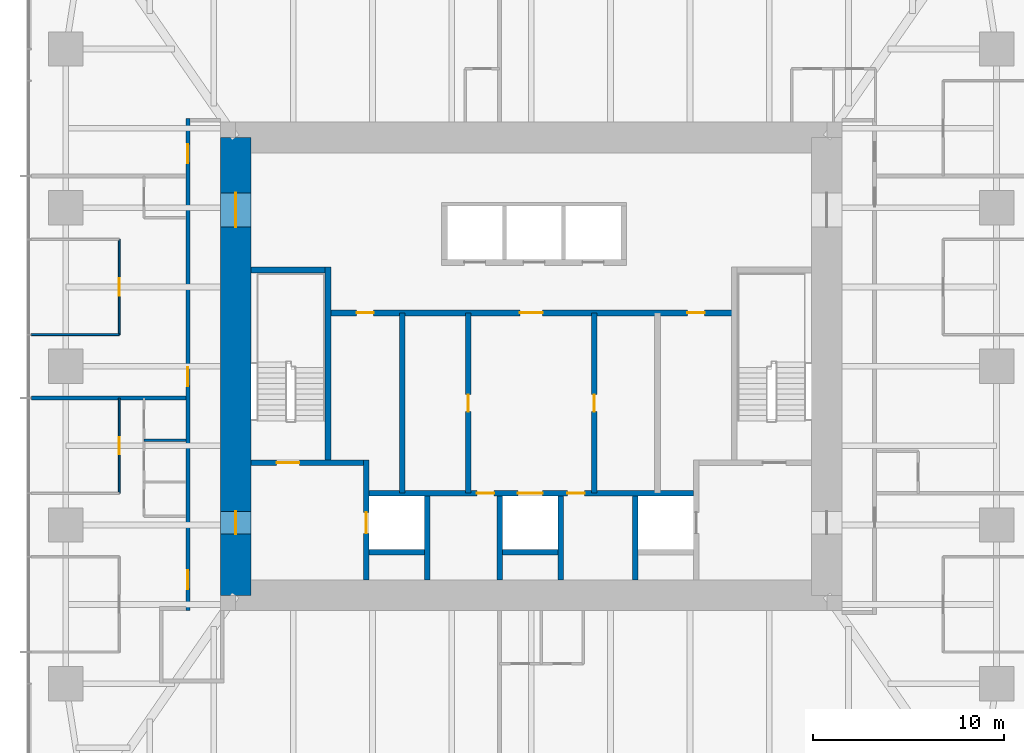
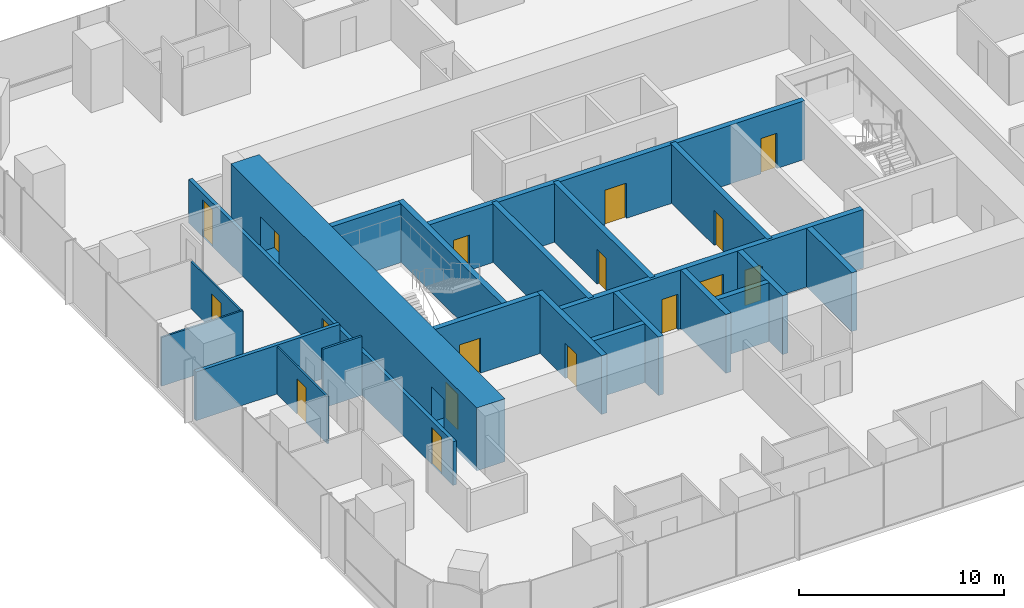
# One storey, part 9 of 12: 22 walls, 17 doors, 17 openings.
"""IFC4 building model written with IfcOpenShell, lengths in metres."""

import ifcopenshell
import ifcopenshell.guid

model = None  # the IFC model being written
_history = None  # IfcOwnerHistory: only IFC2X3 demands one
_inside = {}  # id of a spatial element -> (the spatial element, [elements in it])
_under = {}  # id of a project, library or spatial element -> (it, [spatial elements below it])
_declared = {}  # id of a project -> (the project, [libraries it declares])
_typed = {}  # id of a type object -> (the type object, [elements of that type])
_made_of = {}  # id of a material, layer set ... -> (it, [elements and type objects made of it])


def new_model(schema):
    """Start an empty IFC model of exactly this schema.

    Asked for "IFC4X3", IfcOpenShell would pick the latest addendum, in which some entities
    have other attributes; the version numbers below select the first issue.
    IFC2X3 requires an IfcOwnerHistory on every rooted entity: one is made here for all.
    """
    global model, _history
    if schema == "IFC4X3":
        model = ifcopenshell.file(schema_version=(4, 3, 0, 0))
    else:
        model = ifcopenshell.file(schema=schema)
    _inside.clear()
    _under.clear()
    _declared.clear()
    _typed.clear()
    _made_of.clear()
    _history = None
    if model.schema == "IFC2X3":
        org = make("IfcOrganization", Name="unknown")
        user = make(
            "IfcPersonAndOrganization",
            ThePerson=make("IfcPerson", FamilyName="unknown"),
            TheOrganization=org,
        )
        app = make(
            "IfcApplication",
            ApplicationDeveloper=org,
            Version="unknown",
            ApplicationFullName="unknown",
            ApplicationIdentifier="unknown",
        )
        _history = make(
            "IfcOwnerHistory",
            OwningUser=user,
            OwningApplication=app,
            ChangeAction="ADDED",
            CreationDate=0,
        )
    return model


def make(cls, **values):
    """One entity of the class cls with the attributes given. An attribute that is None is left unset."""
    return model.create_entity(
        cls, **{name: value for name, value in values.items() if value is not None}
    )


def rooted(cls, **values):
    """An entity with a GlobalId (a new one), such as an element, a storey or a relation."""
    return make(cls, GlobalId=ifcopenshell.guid.new(), OwnerHistory=_history, **values)


def si_unit(unit_type, name, prefix=None):
    """IfcSIUnit, for example si_unit("LENGTHUNIT", "METRE", prefix="MILLI")."""
    return make("IfcSIUnit", UnitType=unit_type, Prefix=prefix, Name=name)


def assignment(units):
    """IfcUnitAssignment: the units of a project."""
    return None if units is None else make("IfcUnitAssignment", Units=units)


def point(xyz):
    """IfcCartesianPoint."""
    return None if xyz is None else make("IfcCartesianPoint", Coordinates=xyz)


def direction(xyz):
    """IfcDirection."""
    return None if xyz is None else make("IfcDirection", DirectionRatios=xyz)


def frame(location, z_axis=None, x_axis=None):
    """IfcAxis2Placement3D, a coordinate frame: its origin and axes. An axis left out is left unset."""
    return make(
        "IfcAxis2Placement3D",
        Location=point(location),
        Axis=direction(z_axis),
        RefDirection=direction(x_axis),
    )


def frame_2d(location, x_axis=None):
    """IfcAxis2Placement2D, a coordinate frame in the plane: its origin and x axis."""
    return make(
        "IfcAxis2Placement2D", Location=point(location), RefDirection=direction(x_axis)
    )


def origin():
    """The frame at (0, 0, 0) with its axes left unset."""
    return frame((0.0, 0.0, 0.0))


def place(relative_to, where):
    """IfcLocalPlacement: puts the frame where relative to a parent placement (None: the world)."""
    return make(
        "IfcLocalPlacement", PlacementRelTo=relative_to, RelativePlacement=where
    )


def context(
    kind, dimensions, precision=None, world=None, true_north=None, identifier=None
):
    """IfcGeometricRepresentationContext, for example the 3D "Model" context."""
    return make(
        "IfcGeometricRepresentationContext",
        ContextIdentifier=identifier,
        ContextType=kind,
        CoordinateSpaceDimension=dimensions,
        Precision=precision,
        WorldCoordinateSystem=world,
        TrueNorth=true_north,
    )


def subcontext(parent, identifier, kind, view, scale=None):
    """IfcGeometricRepresentationSubContext, for example "Body" below "Model"."""
    return make(
        "IfcGeometricRepresentationSubContext",
        ContextIdentifier=identifier,
        ContextType=kind,
        ParentContext=parent,
        TargetScale=scale,
        TargetView=view,
    )


def project(units=None, contexts=None):
    """IfcProject with its units and contexts."""
    return rooted(
        "IfcProject",
        Name="project",
        RepresentationContexts=contexts,
        UnitsInContext=assignment(units),
    )


def spatial(cls, under=None, at=None, **own):
    """A site, building, storey or space (cls), placed at a placement, below another one or the project."""
    s = rooted(cls, ObjectPlacement=at, **own)
    if under is not None:
        _under.setdefault(under.id(), (under, []))[1].append(s)
    return s


def profile(cls, at=None, kind="AREA", **sizes):
    """A parametric profile (cls). Its sizes go by their IFC names, for example OverallWidth=200.0."""
    return make(cls, ProfileType=kind, Position=at, **sizes)


def rectangle(**sizes):
    """IfcRectangleProfileDef."""
    return profile("IfcRectangleProfileDef", **sizes)


def extrude(swept, where, along, depth):
    """IfcExtrudedAreaSolid: the profile swept, set in the frame where, extruded along a direction by depth."""
    return make(
        "IfcExtrudedAreaSolid",
        SweptArea=swept,
        Position=where,
        ExtrudedDirection=direction(along),
        Depth=depth,
    )


def shape(context_of_items, identifier, shape_type, items):
    """IfcShapeRepresentation: the items that make up one representation, for example the "Body"."""
    return make(
        "IfcShapeRepresentation",
        ContextOfItems=context_of_items,
        RepresentationIdentifier=identifier,
        RepresentationType=shape_type,
        Items=items,
    )


def material(Name=None, Category=None):
    """IfcMaterial."""
    return make("IfcMaterial", Name=Name, Category=Category)


def layer(
    of_material, thickness, ventilated=None, Name=None, Category=None, Priority=None
):
    """IfcMaterialLayer: one layer of a wall or slab, of a material (None: an air gap)."""
    return make(
        "IfcMaterialLayer",
        Material=of_material,
        LayerThickness=thickness,
        IsVentilated=ventilated,
        Name=Name,
        Category=Category,
        Priority=Priority,
    )


def layer_set(layers, Name=None):
    """IfcMaterialLayerSet."""
    return make("IfcMaterialLayerSet", MaterialLayers=layers, LayerSetName=Name)


def made_of(thing, what):
    """Note that an element or type object is made of a material, layer set ...; save() writes the relation."""
    if what is not None:
        _made_of.setdefault(what.id(), (what, []))[1].append(thing)
    return thing


def type_object(cls, material=None, **own):
    """A type object (cls), such as IfcWallType, which elements share."""
    return made_of(rooted(cls, **own), material)


def element(
    cls,
    number,
    at=None,
    inside=None,
    cuts=None,
    type_object=None,
    material=None,
    context=None,
    identifier="Body",
    shape_type=None,
    held_by="IfcProductDefinitionShape",
    body=None,
    shapes=None,
    **own,
):
    """One element of the class cls, such as IfcWall. Its Tag is "e" and its number.

    at: its placement. inside: the storey or other place that contains it. cuts: it is an
    opening in that element (IfcRelVoidsElement). A single representation is given by context,
    identifier, shape_type and body (its items); several are given by shapes. held_by: the class
    of the entity that holds the representations. save() writes the other relations.
    """
    e = rooted(cls, Tag="e%d" % number, ObjectPlacement=at, **own)
    if body is not None:
        shapes = [shape(context, identifier, shape_type, body)]
    if shapes is not None:
        e.Representation = make(held_by, Representations=shapes)
    if inside is not None:
        _inside.setdefault(inside.id(), (inside, []))[1].append(e)
    if cuts is not None:
        rooted(
            "IfcRelVoidsElement", RelatingBuildingElement=cuts, RelatedOpeningElement=e
        )
    if type_object is not None:
        _typed.setdefault(type_object.id(), (type_object, []))[1].append(e)
    return made_of(e, material)


def fill(opening, filler):
    """IfcRelFillsElement: the door or window that sits in an opening."""
    return rooted(
        "IfcRelFillsElement",
        RelatingOpeningElement=opening,
        RelatedBuildingElement=filler,
    )


def aggregate(whole, parts):
    """IfcRelAggregates: a whole, such as a stair, and the parts it consists of."""
    return rooted("IfcRelAggregates", RelatingObject=whole, RelatedObjects=parts)


def save(model, path):
    """Write the relations noted so far, then the file.

    IfcRelAggregates (storeys below a building ...), IfcRelContainedInSpatialStructure (elements
    in a storey), IfcRelDefinesByType, IfcRelAssociatesMaterial and IfcRelDeclares: one each for
    every whole, place, type object, material and project.
    """
    for whole, parts in _under.values():
        aggregate(whole, parts)
    for where, things in _inside.values():
        rooted(
            "IfcRelContainedInSpatialStructure",
            RelatedElements=things,
            RelatingStructure=where,
        )
    for kind, things in _typed.values():
        rooted("IfcRelDefinesByType", RelatedObjects=things, RelatingType=kind)
    for what, things in _made_of.values():
        rooted("IfcRelAssociatesMaterial", RelatedObjects=things, RelatingMaterial=what)
    for by, libraries in _declared.values():
        rooted("IfcRelDeclares", RelatingContext=by, RelatedDefinitions=libraries)
    model.write(path)


model = new_model("IFC4")

# Units and contexts
model_context = context("Model", 3, precision=1e-05, world=origin(), true_north=direction((0.0, 1.0)))
body_context = subcontext(model_context, "Body", "Model", "MODEL_VIEW")
ifc_project = project(units=[si_unit("LENGTHUNIT", "METRE"), si_unit("AREAUNIT", "SQUARE_METRE"), si_unit("VOLUMEUNIT", "CUBIC_METRE"), si_unit("PLANEANGLEUNIT", "RADIAN"), si_unit("MASSUNIT", "GRAM", prefix="KILO")], contexts=[model_context])

# Site, building, storey
site_placement = place(None, origin())
site = spatial("IfcSite", under=ifc_project, at=site_placement, CompositionType="ELEMENT")
building_placement = place(site_placement, origin())
building = spatial("IfcBuilding", under=site, at=building_placement, Name="Khuree Lantern Residences", CompositionType="ELEMENT")
storey_placement = place(building_placement, frame((0.0, 0.0, 214.5)))
storey = spatial("IfcBuildingStorey", under=building, at=storey_placement, Name="L53", CompositionType="ELEMENT", Elevation=214.5)

# Wall
ifc_material_1 = material(Name="Moisture-resistant gypsum board on steel studs", Category="steel")
ifc_layer_1 = layer(ifc_material_1, 0.125)
ifc_layer_set_1 = layer_set([ifc_layer_1], Name="BATHROOM WALL BTW125")
wall_type_1 = type_object("IfcWallType", Name="BATHROOM WALL BTW125", PredefinedType="PARTITIONING", material=ifc_layer_set_1)
wall_1_placement = place(storey_placement, frame((-18.10009765625, -3.864013671875, 0.0), z_axis=(0.0, 0.0, 1.0), x_axis=(-1.0, 0.0, 0.0)))
element("IfcWall", 1, at=wall_1_placement, inside=storey, type_object=wall_type_1, Name="L53 BATHROOM WALL 05", PredefinedType="PARTITIONING", context=body_context, shape_type="SweptSolid", body=[
    extrude(rectangle(XDim=2.199951171875, YDim=0.125, at=frame_2d((1.10009765625, 0.0))), origin(), (0.0, 0.0, 1.0), 3.5),
])

# Wall, opening, door
ifc_material_2 = material(Name="Dense concrete blockwork", Category="masonry")
ifc_layer_2 = layer(ifc_material_2, 0.300048828125)
ifc_layer_set_2 = layer_set([ifc_layer_2], Name="CORE PARTITION WALL CPW300 EI 120")
wall_type_2 = type_object("IfcWallType", Name="CORE PARTITION WALL CPW300 EI 120", PredefinedType="PARTITIONING", material=ifc_layer_set_2)
wall_2_placement = place(storey_placement, frame((-8.64990234375, -11.199951171875, 0.0), z_axis=(0.0, 0.0, 1.0), x_axis=(0.0, 1.0, 0.0)))
wall_2 = element("IfcWall", 2, at=wall_2_placement, inside=storey, type_object=wall_type_2, Name="L53 CORE WALL FL1W", PredefinedType="PARTITIONING", context=body_context, shape_type="SweptSolid", body=[
    extrude(rectangle(XDim=6.300048828125, YDim=0.300048828125, at=frame_2d((3.14990234375, 0.0))), origin(), (0.0, 0.0, 1.0), 3.5),
])
opening_1_placement = place(wall_2_placement, frame((2.449951171875, 0.0, 0.0)))
opening_1 = element("IfcOpeningElement", 3, at=opening_1_placement, cuts=wall_2, Name="Opening 53-007", PredefinedType="OPENING", context=body_context, shape_type="SweptSolid", body=[
    extrude(rectangle(XDim=1.10009765625, YDim=2.10009765625, at=frame_2d((0.550048828125, 1.050048828125))), frame((0.0, 0.16015625, 0.0), z_axis=(0.0, -1.0, 0.0), x_axis=(1.0, 0.0, 0.0)), (0.0, 0.0, 1.0), 0.320068359375),
])
ifc_material_3 = material(Name="Stainless steel lift landing door", Category="steel")
door_type_1 = type_object("IfcDoorType", Name="LIFT LANDING DOOR 1100X2100 E 120", OperationType="DOUBLE_DOOR_SLIDING", PredefinedType="DOOR", material=ifc_material_3)
door_1_placement = place(opening_1_placement, origin())
door_1 = element("IfcDoor", 4, at=door_1_placement, inside=storey, type_object=door_type_1, Name="Landing door FL1 53-007", OperationType="DOUBLE_DOOR_SLIDING", OverallHeight=2.10009765625, OverallWidth=1.10009765625, PredefinedType="DOOR", context=body_context, shape_type="SweptSolid", body=[
    extrude(rectangle(XDim=1.10009765625, YDim=2.10009765625, at=frame_2d((0.550048828125, 1.050048828125))), frame((0.0, 0.02490234375, 0.0), z_axis=(0.0, -1.0, 0.0), x_axis=(1.0, 0.0, 0.0)), (0.0, 0.0, 1.0), 0.050048828125),
])
fill(opening_1, door_1)

# Wall, openings, doors
wall_3_placement = place(storey_placement, frame((-8.5, -6.64990234375, 0.0), z_axis=(0.0, 0.0, 1.0), x_axis=(1.0, 0.0, 0.0)))
wall_3 = element("IfcWall", 5, at=wall_3_placement, inside=storey, type_object=wall_type_2, Name="L53 CORE WALL FLROW", PredefinedType="PARTITIONING", context=body_context, shape_type="SweptSolid", body=[
    extrude(rectangle(XDim=17.0, YDim=0.300048828125, at=frame_2d((8.5, 0.0))), origin(), (0.0, 0.0, 1.0), 3.5),
])
opening_2_placement = place(wall_3_placement, frame((7.800048828125, 0.0, 0.0)))
opening_2 = element("IfcOpeningElement", 6, at=opening_2_placement, cuts=wall_3, Name="Opening 53-012", PredefinedType="OPENING", context=body_context, shape_type="SweptSolid", body=[
    extrude(rectangle(XDim=1.300048828125, YDim=2.39990234375, at=frame_2d((0.64990234375, 1.199951171875))), frame((0.0, 0.16015625, 0.0), z_axis=(0.0, -1.0, 0.0), x_axis=(1.0, 0.0, 0.0)), (0.0, 0.0, 1.0), 0.320068359375),
])
opening_3_placement = place(wall_3_placement, frame((5.64990234375, 0.0, 0.0)))
opening_3 = element("IfcOpeningElement", 7, at=opening_3_placement, cuts=wall_3, Name="Opening 53-014", PredefinedType="OPENING", context=body_context, shape_type="SweptSolid", body=[
    extrude(rectangle(XDim=0.89990234375, YDim=2.10009765625, at=frame_2d((0.449951171875, 1.050048828125))), frame((0.0, 0.16015625, 0.0), z_axis=(0.0, -1.0, 0.0), x_axis=(1.0, 0.0, 0.0)), (0.0, 0.0, 1.0), 0.320068359375),
])
opening_4_placement = place(wall_3_placement, frame((10.39990234375, 0.0, 0.0)))
opening_4 = element("IfcOpeningElement", 8, at=opening_4_placement, cuts=wall_3, Name="Opening 53-015", PredefinedType="OPENING", context=body_context, shape_type="SweptSolid", body=[
    extrude(rectangle(XDim=0.89990234375, YDim=2.10009765625, at=frame_2d((0.449951171875, 1.050048828125))), frame((0.0, 0.16015625, 0.0), z_axis=(0.0, -1.0, 0.0), x_axis=(1.0, 0.0, 0.0)), (0.0, 0.0, 1.0), 0.320068359375),
])
ifc_material_4 = material(Name="Steel door leaf in steel frame", Category="steel")
door_type_2 = type_object("IfcDoorType", Name="DOOR 900X2100 EI 60", OperationType="SINGLE_SWING_LEFT", PredefinedType="DOOR", material=ifc_material_4)
door_2_placement = place(opening_3_placement, origin())
door_2 = element("IfcDoor", 9, at=door_2_placement, inside=storey, type_object=door_type_2, Name="Refuse chute room door 53-014", OperationType="SINGLE_SWING_LEFT", OverallHeight=2.10009765625, OverallWidth=0.89990234375, PredefinedType="DOOR", context=body_context, shape_type="SweptSolid", body=[
    extrude(rectangle(XDim=0.89990234375, YDim=2.10009765625, at=frame_2d((0.449951171875, 1.050048828125))), frame((0.0, 0.02490234375, 0.0), z_axis=(0.0, -1.0, 0.0), x_axis=(1.0, 0.0, 0.0)), (0.0, 0.0, 1.0), 0.050048828125),
])
fill(opening_3, door_2)
door_type_3 = type_object("IfcDoorType", Name="DOOR 900X2100 EI 60 RIGHT HAND", OperationType="SINGLE_SWING_RIGHT", PredefinedType="DOOR", material=ifc_material_4)
door_3_placement = place(opening_4_placement, origin())
door_3 = element("IfcDoor", 10, at=door_3_placement, inside=storey, type_object=door_type_3, Name="Electrical and plumbing riser door 53-015", OperationType="SINGLE_SWING_RIGHT", OverallHeight=2.10009765625, OverallWidth=0.89990234375, PredefinedType="DOOR", context=body_context, shape_type="SweptSolid", body=[
    extrude(rectangle(XDim=0.89990234375, YDim=2.10009765625, at=frame_2d((0.449951171875, 1.050048828125))), frame((0.0, 0.02490234375, 0.0), z_axis=(0.0, -1.0, 0.0), x_axis=(1.0, 0.0, 0.0)), (0.0, 0.0, 1.0), 0.050048828125),
])
fill(opening_4, door_3)
door_type_4 = type_object("IfcDoorType", Name="LIFT LANDING DOOR 1300X2400 E 60", OperationType="DOUBLE_DOOR_SLIDING", PredefinedType="DOOR", material=ifc_material_3)
door_4_placement = place(opening_2_placement, origin())
door_4 = element("IfcDoor", 11, at=door_4_placement, inside=storey, type_object=door_type_4, Name="Landing door SL1 53-012", OperationType="DOUBLE_DOOR_SLIDING", OverallHeight=2.39990234375, OverallWidth=1.300048828125, PredefinedType="DOOR", context=body_context, shape_type="SweptSolid", body=[
    extrude(rectangle(XDim=1.300048828125, YDim=2.39990234375, at=frame_2d((0.64990234375, 1.199951171875))), frame((0.0, 0.02490234375, 0.0), z_axis=(0.0, -1.0, 0.0), x_axis=(1.0, 0.0, 0.0)), (0.0, 0.0, 1.0), 0.050048828125),
])
fill(opening_2, door_4)

# Walls
for number, where, z_axis, x_axis, name in (
    (12, (-5.449951171875, -11.199951171875, 0.0), (0.0, 0.0, 1.0), (0.0, 1.0, 0.0), "L53 CORE WALL FL1E"),
    (13, (-1.64990234375, -11.199951171875, 0.0), (0.0, 0.0, 1.0), (0.0, 1.0, 0.0), "L53 CORE WALL SL1W"),
    (14, (1.550048828125, -11.199951171875, 0.0), (0.0, 0.0, 1.0), (0.0, 1.0, 0.0), "L53 CORE WALL SL1E"),
    (15, (5.449951171875, -11.199951171875, 0.0), (0.0, 0.0, 1.0), (0.0, 1.0, 0.0), "L53 CORE WALL FL2W"),
):
    element("IfcWall", number, at=place(storey_placement, frame(where, z_axis=z_axis, x_axis=x_axis)), inside=storey, type_object=wall_type_2, Name=name, PredefinedType="PARTITIONING", context=body_context, shape_type="SweptSolid", body=[
        extrude(rectangle(XDim=4.39990234375, YDim=0.300048828125, at=frame_2d((2.199951171875, 0.0))), origin(), (0.0, 0.0, 1.0), 3.5),
    ])
for number, where, z_axis, x_axis, name in (
    (16, (-8.5, -9.75, 0.0), (0.0, 0.0, 1.0), (1.0, 0.0, 0.0), "L53 CORE WALL FL1S"),
    (17, (-1.5, -9.75, 0.0), (0.0, 0.0, 1.0), (1.0, 0.0, 0.0), "L53 CORE WALL SL1S"),
):
    element("IfcWall", number, at=place(storey_placement, frame(where, z_axis=z_axis, x_axis=x_axis)), inside=storey, type_object=wall_type_2, Name=name, PredefinedType="PARTITIONING", context=body_context, shape_type="SweptSolid", body=[
        extrude(rectangle(XDim=2.89990234375, YDim=0.300048828125, at=frame_2d((1.449951171875, 0.0))), origin(), (0.0, 0.0, 1.0), 3.5),
    ])

# Wall, openings, doors
wall_4_placement = place(storey_placement, frame((-10.64990234375, 2.800048828125, 0.0), z_axis=(0.0, 0.0, 1.0), x_axis=(1.0, 0.0, 0.0)))
wall_4 = element("IfcWall", 18, at=wall_4_placement, inside=storey, type_object=wall_type_2, Name="L53 CORE WALL LLS", PredefinedType="PARTITIONING", context=body_context, shape_type="SweptSolid", body=[
    extrude(rectangle(XDim=21.2998046875, YDim=0.300048828125, at=frame_2d((10.64990234375, 0.0))), origin(), (0.0, 0.0, 1.0), 3.5),
])
opening_5_placement = place(wall_4_placement, frame((10.050048828125, 0.0, 0.0)))
opening_5 = element("IfcOpeningElement", 19, at=opening_5_placement, cuts=wall_4, Name="Opening 53-013", PredefinedType="OPENING", context=body_context, shape_type="SweptSolid", body=[
    extrude(rectangle(XDim=1.199951171875, YDim=2.10009765625, at=frame_2d((0.60009765625, 1.050048828125))), frame((0.0, 0.16015625, 0.0), z_axis=(0.0, -1.0, 0.0), x_axis=(1.0, 0.0, 0.0)), (0.0, 0.0, 1.0), 0.320068359375),
])
opening_6_placement = place(wall_4_placement, frame((1.492919921875, 0.0, 0.0)))
opening_6 = element("IfcOpeningElement", 20, at=opening_6_placement, cuts=wall_4, Name="Opening 53-017", PredefinedType="OPENING", context=body_context, shape_type="SweptSolid", body=[
    extrude(rectangle(XDim=0.89990234375, YDim=2.10009765625, at=frame_2d((0.449951171875, 1.050048828125))), frame((0.0, 0.16015625, 0.0), z_axis=(0.0, -1.0, 0.0), x_axis=(1.0, 0.0, 0.0)), (0.0, 0.0, 1.0), 0.320068359375),
])
opening_7_placement = place(wall_4_placement, frame((18.8359375, 0.0, 0.0)))
opening_7 = element("IfcOpeningElement", 21, at=opening_7_placement, cuts=wall_4, Name="Opening 53-019", PredefinedType="OPENING", context=body_context, shape_type="SweptSolid", body=[
    extrude(rectangle(XDim=0.89990234375, YDim=2.10009765625, at=frame_2d((0.449951171875, 1.050048828125))), frame((0.0, 0.16015625, 0.0), z_axis=(0.0, -1.0, 0.0), x_axis=(1.0, 0.0, 0.0)), (0.0, 0.0, 1.0), 0.320068359375),
])
door_type_5 = type_object("IfcDoorType", Name="DOOR 1200X2100 EI 60", OperationType="SINGLE_SWING_LEFT", PredefinedType="DOOR", material=ifc_material_4)
door_5_placement = place(opening_5_placement, origin())
door_5 = element("IfcDoor", 22, at=door_5_placement, inside=storey, type_object=door_type_5, Name="Service lift lobby door 53-013", OperationType="SINGLE_SWING_LEFT", OverallHeight=2.10009765625, OverallWidth=1.199951171875, PredefinedType="DOOR", context=body_context, shape_type="SweptSolid", body=[
    extrude(rectangle(XDim=1.199951171875, YDim=2.10009765625, at=frame_2d((0.60009765625, 1.050048828125))), frame((0.0, 0.02490234375, 0.0), z_axis=(0.0, -1.0, 0.0), x_axis=(1.0, 0.0, 0.0)), (0.0, 0.0, 1.0), 0.050048828125),
])
fill(opening_5, door_5)
ifc_material_5 = material(Name="Timber door leaf in hardwood frame", Category="wood")
door_type_6 = type_object("IfcDoorType", Name="DOOR 900X2100", OperationType="SINGLE_SWING_LEFT", PredefinedType="DOOR", material=ifc_material_5)
door_6_placement = place(opening_6_placement, origin())
door_6 = element("IfcDoor", 23, at=door_6_placement, inside=storey, type_object=door_type_6, Name="Residents' store door 53-017", OperationType="SINGLE_SWING_LEFT", OverallHeight=2.10009765625, OverallWidth=0.89990234375, PredefinedType="DOOR", context=body_context, shape_type="SweptSolid", body=[
    extrude(rectangle(XDim=0.89990234375, YDim=2.10009765625, at=frame_2d((0.449951171875, 1.050048828125))), frame((0.0, 0.02490234375, 0.0), z_axis=(0.0, -1.0, 0.0), x_axis=(1.0, 0.0, 0.0)), (0.0, 0.0, 1.0), 0.050048828125),
])
fill(opening_6, door_6)
door_type_7 = type_object("IfcDoorType", Name="DOOR 900X2100 RIGHT HAND", OperationType="SINGLE_SWING_RIGHT", PredefinedType="DOOR", material=ifc_material_5)
door_7_placement = place(opening_7_placement, origin())
door_7 = element("IfcDoor", 24, at=door_7_placement, inside=storey, type_object=door_type_7, Name="Residents' store door 53-019", OperationType="SINGLE_SWING_RIGHT", OverallHeight=2.10009765625, OverallWidth=0.89990234375, PredefinedType="DOOR", context=body_context, shape_type="SweptSolid", body=[
    extrude(rectangle(XDim=0.89990234375, YDim=2.10009765625, at=frame_2d((0.449951171875, 1.050048828125))), frame((0.0, 0.02490234375, 0.0), z_axis=(0.0, -1.0, 0.0), x_axis=(1.0, 0.0, 0.0)), (0.0, 0.0, 1.0), 0.050048828125),
])
fill(opening_7, door_7)

# Wall, opening, door
wall_5_placement = place(storey_placement, frame((-3.300048828125, -6.64990234375, 0.0), z_axis=(0.0, 0.0, 1.0), x_axis=(0.0, 1.0, 0.0)))
wall_5 = element("IfcWall", 25, at=wall_5_placement, inside=storey, type_object=wall_type_2, Name="L53 CORE WALL SVW", PredefinedType="PARTITIONING", context=body_context, shape_type="SweptSolid", body=[
    extrude(rectangle(XDim=9.449951171875, YDim=0.300048828125, at=frame_2d((4.72509765625, 0.0))), origin(), (0.0, 0.0, 1.0), 3.5),
])
opening_8_placement = place(wall_5_placement, frame((4.27490234375, 0.0, 0.0)))
opening_8 = element("IfcOpeningElement", 26, at=opening_8_placement, cuts=wall_5, Name="Opening 53-016", PredefinedType="OPENING", context=body_context, shape_type="SweptSolid", body=[
    extrude(rectangle(XDim=0.89990234375, YDim=2.10009765625, at=frame_2d((0.449951171875, 1.050048828125))), frame((0.0, 0.16015625, 0.0), z_axis=(0.0, -1.0, 0.0), x_axis=(1.0, 0.0, 0.0)), (0.0, 0.0, 1.0), 0.320068359375),
])
door_8_placement = place(opening_8_placement, origin())
door_8 = element("IfcDoor", 27, at=door_8_placement, inside=storey, type_object=door_type_6, Name="Residents' store door 53-016", OperationType="SINGLE_SWING_LEFT", OverallHeight=2.10009765625, OverallWidth=0.89990234375, PredefinedType="DOOR", context=body_context, shape_type="SweptSolid", body=[
    extrude(rectangle(XDim=0.89990234375, YDim=2.10009765625, at=frame_2d((0.449951171875, 1.050048828125))), frame((0.0, 0.02490234375, 0.0), z_axis=(0.0, -1.0, 0.0), x_axis=(1.0, 0.0, 0.0)), (0.0, 0.0, 1.0), 0.050048828125),
])
fill(opening_8, door_8)

wall_6_placement = place(storey_placement, frame((3.300048828125, -6.64990234375, 0.0), z_axis=(0.0, 0.0, 1.0), x_axis=(0.0, 1.0, 0.0)))
wall_6 = element("IfcWall", 28, at=wall_6_placement, inside=storey, type_object=wall_type_2, Name="L53 CORE WALL SVE", PredefinedType="PARTITIONING", context=body_context, shape_type="SweptSolid", body=[
    extrude(rectangle(XDim=9.449951171875, YDim=0.300048828125, at=frame_2d((4.72509765625, 0.0))), origin(), (0.0, 0.0, 1.0), 3.5),
])
opening_9_placement = place(wall_6_placement, frame((4.27490234375, 0.0, 0.0)))
opening_9 = element("IfcOpeningElement", 29, at=opening_9_placement, cuts=wall_6, Name="Opening 53-018", PredefinedType="OPENING", context=body_context, shape_type="SweptSolid", body=[
    extrude(rectangle(XDim=0.89990234375, YDim=2.10009765625, at=frame_2d((0.449951171875, 1.050048828125))), frame((0.0, 0.16015625, 0.0), z_axis=(0.0, -1.0, 0.0), x_axis=(1.0, 0.0, 0.0)), (0.0, 0.0, 1.0), 0.320068359375),
])
door_9_placement = place(opening_9_placement, origin())
door_9 = element("IfcDoor", 30, at=door_9_placement, inside=storey, type_object=door_type_6, Name="Residents' store door 53-018", OperationType="SINGLE_SWING_LEFT", OverallHeight=2.10009765625, OverallWidth=0.89990234375, PredefinedType="DOOR", context=body_context, shape_type="SweptSolid", body=[
    extrude(rectangle(XDim=0.89990234375, YDim=2.10009765625, at=frame_2d((0.449951171875, 1.050048828125))), frame((0.0, 0.02490234375, 0.0), z_axis=(0.0, -1.0, 0.0), x_axis=(1.0, 0.0, 0.0)), (0.0, 0.0, 1.0), 0.050048828125),
])
fill(opening_9, door_9)

# Wall
wall_7_placement = place(storey_placement, frame((-6.763916015625, -6.64990234375, 0.0), z_axis=(0.0, 0.0, 1.0), x_axis=(0.0, 1.0, 0.0)))
element("IfcWall", 31, at=wall_7_placement, inside=storey, type_object=wall_type_2, Name="L53 CORE WALL WV", PredefinedType="PARTITIONING", context=body_context, shape_type="SweptSolid", body=[
    extrude(rectangle(XDim=9.449951171875, YDim=0.300048828125, at=frame_2d((4.72509765625, 0.0))), origin(), (0.0, 0.0, 1.0), 3.5),
])

# Wall, openings, doors
ifc_material_6 = material(Name="Gypsum board on steel studs", Category="steel")
ifc_layer_3 = layer(ifc_material_6, 0.199951171875)
ifc_layer_set_3 = layer_set([ifc_layer_3], Name="CORRIDOR WALL CRW200 EI 60")
wall_type_3 = type_object("IfcWallType", Name="CORRIDOR WALL CRW200 EI 60", PredefinedType="PARTITIONING", material=ifc_layer_set_3)
wall_8_placement = place(storey_placement, frame((-18.0, 13.0, 0.0), z_axis=(0.0, 0.0, 1.0), x_axis=(0.0, -1.0, 0.0)))
wall_8 = element("IfcWall", 32, at=wall_8_placement, inside=storey, type_object=wall_type_3, Name="L53 CORRIDOR WALL WEST 1", PredefinedType="PARTITIONING", context=body_context, shape_type="SweptSolid", body=[
    extrude(rectangle(XDim=25.800048828125, YDim=0.199951171875, at=frame_2d((12.89990234375, 0.0))), origin(), (0.0, 0.0, 1.0), 2.60009765625),
])
opening_10_placement = place(wall_8_placement, frame((1.35009765625, 0.0, 0.0)))
opening_10 = element("IfcOpeningElement", 33, at=opening_10_placement, cuts=wall_8, Name="Opening 53-034", PredefinedType="OPENING", context=body_context, shape_type="SweptSolid", body=[
    extrude(rectangle(XDim=1.0, YDim=2.199951171875, at=frame_2d((0.5, 1.10009765625))), frame((0.0, 0.10986328125, 0.0), z_axis=(0.0, -1.0, 0.0), x_axis=(1.0, 0.0, 0.0)), (0.0, 0.0, 1.0), 0.219970703125),
])
opening_11_placement = place(wall_8_placement, frame((13.035888671875, 0.0, 0.0)))
opening_11 = element("IfcOpeningElement", 34, at=opening_11_placement, cuts=wall_8, Name="Opening 53-037", PredefinedType="OPENING", context=body_context, shape_type="SweptSolid", body=[
    extrude(rectangle(XDim=1.0, YDim=2.199951171875, at=frame_2d((0.5, 1.10009765625))), frame((0.0, 0.10986328125, 0.0), z_axis=(0.0, -1.0, 0.0), x_axis=(1.0, 0.0, 0.0)), (0.0, 0.0, 1.0), 0.219970703125),
])
opening_12_placement = place(wall_8_placement, frame((23.68408203125, 0.0, 0.0)))
opening_12 = element("IfcOpeningElement", 35, at=opening_12_placement, cuts=wall_8, Name="Opening 53-047", PredefinedType="OPENING", context=body_context, shape_type="SweptSolid", body=[
    extrude(rectangle(XDim=1.0, YDim=2.199951171875, at=frame_2d((0.5, 1.10009765625))), frame((0.0, 0.10986328125, 0.0), z_axis=(0.0, -1.0, 0.0), x_axis=(1.0, 0.0, 0.0)), (0.0, 0.0, 1.0), 0.219970703125),
])
door_type_8 = type_object("IfcDoorType", Name="APARTMENT ENTRANCE DOOR 1000X2200 EI 30S", OperationType="SINGLE_SWING_LEFT", PredefinedType="DOOR", material=ifc_material_5)
door_10_placement = place(opening_10_placement, origin())
door_10 = element("IfcDoor", 36, at=door_10_placement, inside=storey, type_object=door_type_8, Name="Apartment 03 entrance door 53-034", OperationType="SINGLE_SWING_LEFT", OverallHeight=2.199951171875, OverallWidth=1.0, PredefinedType="DOOR", context=body_context, shape_type="SweptSolid", body=[
    extrude(rectangle(XDim=1.0, YDim=2.199951171875, at=frame_2d((0.5, 1.10009765625))), frame((0.0, 0.02490234375, 0.0), z_axis=(0.0, -1.0, 0.0), x_axis=(1.0, 0.0, 0.0)), (0.0, 0.0, 1.0), 0.050048828125),
])
fill(opening_10, door_10)
door_11_placement = place(opening_11_placement, origin())
door_11 = element("IfcDoor", 37, at=door_11_placement, inside=storey, type_object=door_type_8, Name="Apartment 04 entrance door 53-037", OperationType="SINGLE_SWING_LEFT", OverallHeight=2.199951171875, OverallWidth=1.0, PredefinedType="DOOR", context=body_context, shape_type="SweptSolid", body=[
    extrude(rectangle(XDim=1.0, YDim=2.199951171875, at=frame_2d((0.5, 1.10009765625))), frame((0.0, 0.02490234375, 0.0), z_axis=(0.0, -1.0, 0.0), x_axis=(1.0, 0.0, 0.0)), (0.0, 0.0, 1.0), 0.050048828125),
])
fill(opening_11, door_11)
door_12_placement = place(opening_12_placement, origin())
door_12 = element("IfcDoor", 38, at=door_12_placement, inside=storey, type_object=door_type_8, Name="Apartment 05 entrance door 53-047", OperationType="SINGLE_SWING_LEFT", OverallHeight=2.199951171875, OverallWidth=1.0, PredefinedType="DOOR", context=body_context, shape_type="SweptSolid", body=[
    extrude(rectangle(XDim=1.0, YDim=2.199951171875, at=frame_2d((0.5, 1.10009765625))), frame((0.0, 0.02490234375, 0.0), z_axis=(0.0, -1.0, 0.0), x_axis=(1.0, 0.0, 0.0)), (0.0, 0.0, 1.0), 0.050048828125),
])
fill(opening_12, door_12)

ifc_material_7 = material(Name="Concrete C50/60", Category="concrete")
ifc_layer_4 = layer(ifc_material_7, 1.60009765625)
ifc_layer_set_4 = layer_set([ifc_layer_4], Name="CW1600-C50 CORE WALL C50 1600")
wall_type_4 = type_object("IfcWallType", Name="CW1600-C50 CORE WALL C50 1600", PredefinedType="SHEAR", material=ifc_layer_set_4)
wall_9_placement = place(storey_placement, frame((-15.5, -12.0, -0.25), z_axis=(0.0, 0.0, 1.0), x_axis=(0.0, 1.0, 0.0)))
wall_9 = element("IfcWall", 39, at=wall_9_placement, inside=storey, type_object=wall_type_4, Name="Core wall W", PredefinedType="SHEAR", context=body_context, shape_type="SweptSolid", body=[
    extrude(rectangle(XDim=24.0, YDim=1.60009765625, at=frame_2d((12.0, 0.0))), origin(), (0.0, 0.0, 1.0), 3.75),
])
opening_13_placement = place(wall_9_placement, frame((3.199951171875, 0.0, 0.25)))
opening_13 = element("IfcOpeningElement", 40, at=opening_13_placement, cuts=wall_9, Name="Opening 53-002", PredefinedType="OPENING", context=body_context, shape_type="SweptSolid", body=[
    extrude(rectangle(XDim=1.199951171875, YDim=2.10009765625, at=frame_2d((0.60009765625, 1.050048828125))), frame((0.0, 0.81005859375, 0.0), z_axis=(0.0, -1.0, 0.0), x_axis=(1.0, 0.0, 0.0)), (0.0, 0.0, 1.0), 1.6201171875),
])
opening_14_placement = place(wall_9_placement, frame((19.300048828125, 0.0, 0.25)))
opening_14 = element("IfcOpeningElement", 41, at=opening_14_placement, cuts=wall_9, Name="Opening 53-003", PredefinedType="OPENING", context=body_context, shape_type="SweptSolid", body=[
    extrude(rectangle(XDim=1.800048828125, YDim=2.10009765625, at=frame_2d((0.89990234375, 1.050048828125))), frame((0.0, 0.81005859375, 0.0), z_axis=(0.0, -1.0, 0.0), x_axis=(1.0, 0.0, 0.0)), (0.0, 0.0, 1.0), 1.6201171875),
])
door_type_9 = type_object("IfcDoorType", Name="LOBBY DOOR 1200X2100 EI 120", OperationType="SINGLE_SWING_LEFT", PredefinedType="DOOR", material=ifc_material_4)
door_13_placement = place(opening_13_placement, origin())
door_13 = element("IfcDoor", 42, at=door_13_placement, inside=storey, type_object=door_type_9, Name="Firefighting lobby door 53-002", OperationType="SINGLE_SWING_LEFT", OverallHeight=2.10009765625, OverallWidth=1.199951171875, PredefinedType="DOOR", context=body_context, shape_type="SweptSolid", body=[
    extrude(rectangle(XDim=1.199951171875, YDim=2.10009765625, at=frame_2d((0.60009765625, 1.050048828125))), frame((0.0, 0.02490234375, 0.0), z_axis=(0.0, -1.0, 0.0), x_axis=(1.0, 0.0, 0.0)), (0.0, 0.0, 1.0), 0.050048828125),
])
fill(opening_13, door_13)
door_type_10 = type_object("IfcDoorType", Name="LOBBY DOUBLE DOOR 1800X2100 EI 60", OperationType="DOUBLE_DOOR_SINGLE_SWING", PredefinedType="DOOR", material=ifc_material_4)
door_14_placement = place(opening_14_placement, origin())
door_14 = element("IfcDoor", 43, at=door_14_placement, inside=storey, type_object=door_type_10, Name="Lift lobby door 53-003", OperationType="DOUBLE_DOOR_SINGLE_SWING", OverallHeight=2.10009765625, OverallWidth=1.800048828125, PredefinedType="DOOR", context=body_context, shape_type="SweptSolid", body=[
    extrude(rectangle(XDim=1.800048828125, YDim=2.10009765625, at=frame_2d((0.89990234375, 1.050048828125))), frame((0.0, 0.02490234375, 0.0), z_axis=(0.0, -1.0, 0.0), x_axis=(1.0, 0.0, 0.0)), (0.0, 0.0, 1.0), 0.050048828125),
])
fill(opening_14, door_14)

# Walls
ifc_layer_5 = layer(ifc_material_6, 0.199951171875)
ifc_layer_set_5 = layer_set([ifc_layer_5], Name="DEMISING WALL DMW200 EI 90")
wall_type_5 = type_object("IfcWallType", Name="DEMISING WALL DMW200 EI 90", PredefinedType="PARTITIONING", material=ifc_layer_set_5)
wall_10_placement = place(storey_placement, frame((-18.10009765625, -1.6640625, 0.0), z_axis=(0.0, 0.0, 1.0), x_axis=(-1.0, 0.0, 0.0)))
element("IfcWall", 44, at=wall_10_placement, inside=storey, type_object=wall_type_5, Name="L53 DEMISING WALL 05", PredefinedType="PARTITIONING", context=body_context, shape_type="SweptSolid", body=[
    extrude(rectangle(XDim=8.099853515625, YDim=0.199951171875, at=frame_2d((4.0498046875, 0.0))), origin(), (0.0, 0.0, 1.0), 2.909912109375),
])
ifc_layer_6 = layer(ifc_material_6, 0.10009765625)
ifc_layer_set_6 = layer_set([ifc_layer_6], Name="PARTITION PT100")
wall_type_6 = type_object("IfcWallType", Name="PARTITION PT100", PredefinedType="PARTITIONING", material=ifc_layer_set_6)
wall_11_placement = place(storey_placement, frame((-21.60009765625, 1.6640625, 0.0), z_axis=(0.0, 0.0, 1.0), x_axis=(-1.0, 0.0, 0.0)))
element("IfcWall", 45, at=wall_11_placement, inside=storey, type_object=wall_type_6, Name="L53 PARTITION 04", PredefinedType="PARTITIONING", context=body_context, shape_type="SweptSolid", body=[
    extrude(rectangle(XDim=4.599853515625, YDim=0.10009765625, at=frame_2d((2.2998046875, 0.0))), origin(), (0.0, 0.0, 1.0), 2.909912109375),
])

# Wall, opening, door
wall_12_placement = place(storey_placement, frame((-21.60009765625, 6.656005859375, 0.0), z_axis=(0.0, 0.0, 1.0), x_axis=(0.0, -1.0, 0.0)))
wall_12 = element("IfcWall", 46, at=wall_12_placement, inside=storey, type_object=wall_type_6, Name="L53 PARTITION 04", PredefinedType="PARTITIONING", context=body_context, shape_type="SweptSolid", body=[
    extrude(rectangle(XDim=4.991943359375, YDim=0.10009765625, at=frame_2d((2.49609375, 0.0))), origin(), (0.0, 0.0, 1.0), 2.81005859375),
])
opening_15_placement = place(wall_12_placement, frame((2.0458984375, 0.0, 0.0)))
opening_15 = element("IfcOpeningElement", 47, at=opening_15_placement, cuts=wall_12, Name="Opening 53-035", PredefinedType="OPENING", context=body_context, shape_type="SweptSolid", body=[
    extrude(rectangle(XDim=0.89990234375, YDim=2.10009765625, at=frame_2d((0.449951171875, 1.050048828125))), frame((0.0, 0.06005859375, 0.0), z_axis=(0.0, -1.0, 0.0), x_axis=(1.0, 0.0, 0.0)), (0.0, 0.0, 1.0), 0.1201171875),
])
door_type_11 = type_object("IfcDoorType", Name="BEDROOM DOOR 900X2100", OperationType="SINGLE_SWING_LEFT", PredefinedType="DOOR", material=ifc_material_5)
door_15_placement = place(opening_15_placement, origin())
door_15 = element("IfcDoor", 48, at=door_15_placement, inside=storey, type_object=door_type_11, Name="Bedroom door 53-035", OperationType="SINGLE_SWING_LEFT", OverallHeight=2.10009765625, OverallWidth=0.89990234375, PredefinedType="DOOR", context=body_context, shape_type="SweptSolid", body=[
    extrude(rectangle(XDim=0.89990234375, YDim=2.10009765625, at=frame_2d((0.449951171875, 1.050048828125))), frame((0.0, 0.02490234375, 0.0), z_axis=(0.0, -1.0, 0.0), x_axis=(1.0, 0.0, 0.0)), (0.0, 0.0, 1.0), 0.050048828125),
])
fill(opening_15, door_15)

wall_13_placement = place(storey_placement, frame((-21.60009765625, -1.6640625, 0.0), z_axis=(0.0, 0.0, 1.0), x_axis=(0.0, -1.0, 0.0)))
wall_13 = element("IfcWall", 49, at=wall_13_placement, inside=storey, type_object=wall_type_6, Name="L53 PARTITION 05", PredefinedType="PARTITIONING", context=body_context, shape_type="SweptSolid", body=[
    extrude(rectangle(XDim=4.991943359375, YDim=0.10009765625, at=frame_2d((2.49609375, 0.0))), origin(), (0.0, 0.0, 1.0), 2.81005859375),
])
opening_16_placement = place(wall_13_placement, frame((2.0458984375, 0.0, 0.0)))
opening_16 = element("IfcOpeningElement", 50, at=opening_16_placement, cuts=wall_13, Name="Opening 53-038", PredefinedType="OPENING", context=body_context, shape_type="SweptSolid", body=[
    extrude(rectangle(XDim=0.89990234375, YDim=2.10009765625, at=frame_2d((0.449951171875, 1.050048828125))), frame((0.0, 0.06005859375, 0.0), z_axis=(0.0, -1.0, 0.0), x_axis=(1.0, 0.0, 0.0)), (0.0, 0.0, 1.0), 0.1201171875),
])
door_16_placement = place(opening_16_placement, origin())
door_16 = element("IfcDoor", 51, at=door_16_placement, inside=storey, type_object=door_type_11, Name="Bedroom door 53-038", OperationType="SINGLE_SWING_LEFT", OverallHeight=2.10009765625, OverallWidth=0.89990234375, PredefinedType="DOOR", context=body_context, shape_type="SweptSolid", body=[
    extrude(rectangle(XDim=0.89990234375, YDim=2.10009765625, at=frame_2d((0.449951171875, 1.050048828125))), frame((0.0, 0.02490234375, 0.0), z_axis=(0.0, -1.0, 0.0), x_axis=(1.0, 0.0, 0.0)), (0.0, 0.0, 1.0), 0.050048828125),
])
fill(opening_16, door_16)

# Wall
ifc_layer_7 = layer(ifc_material_7, 0.300048828125)
ifc_layer_set_7 = layer_set([ifc_layer_7], Name="STAIR WALL SRW300 C50/60 REI 240")
wall_type_7 = type_object("IfcWallType", Name="STAIR WALL SRW300 C50/60 REI 240", PredefinedType="SOLIDWALL", material=ifc_layer_set_7)
wall_14_placement = place(storey_placement, frame((-10.64990234375, -4.89990234375, 0.0), z_axis=(0.0, 0.0, 1.0), x_axis=(0.0, 1.0, 0.0)))
element("IfcWall", 52, at=wall_14_placement, inside=storey, type_object=wall_type_7, Name="L53 STAIR WALL ST1E", PredefinedType="SOLIDWALL", context=body_context, shape_type="SweptSolid", body=[
    extrude(rectangle(XDim=10.099853515625, YDim=0.300048828125, at=frame_2d((5.0498046875, 0.0))), origin(), (0.0, 0.0, 1.0), 3.5),
])

# Wall, opening, door
wall_15_placement = place(storey_placement, frame((-14.699951171875, -5.050048828125, 0.0), z_axis=(0.0, 0.0, 1.0), x_axis=(1.0, 0.0, 0.0)))
wall_15 = element("IfcWall", 53, at=wall_15_placement, inside=storey, type_object=wall_type_7, Name="L53 STAIR WALL ST1S", PredefinedType="SOLIDWALL", context=body_context, shape_type="SweptSolid", body=[
    extrude(rectangle(XDim=5.89990234375, YDim=0.300048828125, at=frame_2d((2.949951171875, 0.0))), origin(), (0.0, 0.0, 1.0), 3.5),
])
opening_17_placement = place(wall_15_placement, frame((1.35009765625, 0.0, 0.0)))
opening_17 = element("IfcOpeningElement", 54, at=opening_17_placement, cuts=wall_15, Name="Opening 53-001", PredefinedType="OPENING", context=body_context, shape_type="SweptSolid", body=[
    extrude(rectangle(XDim=1.199951171875, YDim=2.10009765625, at=frame_2d((0.60009765625, 1.050048828125))), frame((0.0, 0.16015625, 0.0), z_axis=(0.0, -1.0, 0.0), x_axis=(1.0, 0.0, 0.0)), (0.0, 0.0, 1.0), 0.320068359375),
])
door_type_12 = type_object("IfcDoorType", Name="STAIR DOOR 1200X2100 EI 120", OperationType="SINGLE_SWING_LEFT", PredefinedType="DOOR", material=ifc_material_4)
door_17_placement = place(opening_17_placement, origin())
door_17 = element("IfcDoor", 55, at=door_17_placement, inside=storey, type_object=door_type_12, Name="Stair ST1 door 53-001", OperationType="SINGLE_SWING_LEFT", OverallHeight=2.10009765625, OverallWidth=1.199951171875, PredefinedType="DOOR", context=body_context, shape_type="SweptSolid", body=[
    extrude(rectangle(XDim=1.199951171875, YDim=2.10009765625, at=frame_2d((0.60009765625, 1.050048828125))), frame((0.0, 0.02490234375, 0.0), z_axis=(0.0, -1.0, 0.0), x_axis=(1.0, 0.0, 0.0)), (0.0, 0.0, 1.0), 0.050048828125),
])
fill(opening_17, door_17)

# Wall
wall_16_placement = place(storey_placement, frame((-14.699951171875, 5.050048828125, 0.0), z_axis=(0.0, 0.0, 1.0), x_axis=(1.0, 0.0, 0.0)))
element("IfcWall", 56, at=wall_16_placement, inside=storey, type_object=wall_type_7, Name="L53 STAIR WALL ST1N", PredefinedType="SOLIDWALL", context=body_context, shape_type="SweptSolid", body=[
    extrude(rectangle(XDim=3.89990234375, YDim=0.300048828125, at=frame_2d((1.949951171875, 0.0))), origin(), (0.0, 0.0, 1.0), 3.5),
])

save(model, "model.ifc")
